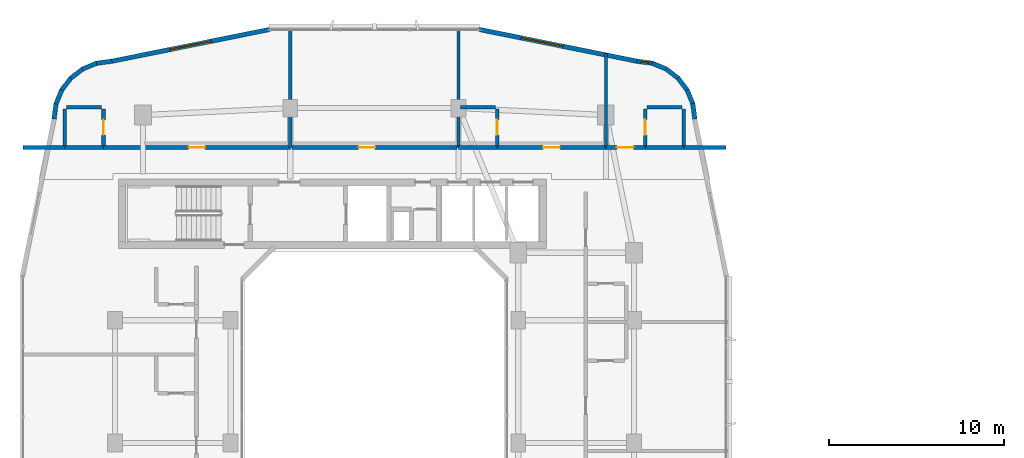
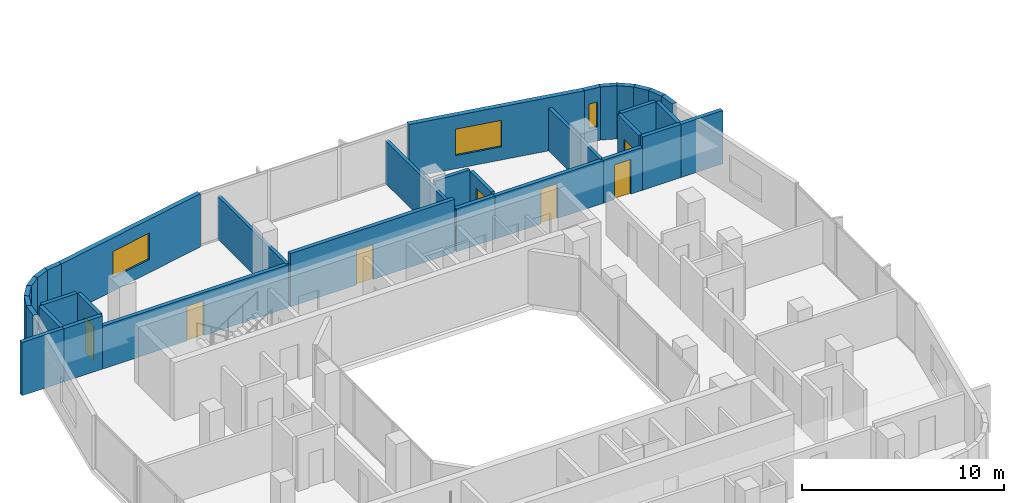
# One storey, part 16 of 26: 34 walls, 7 doors, 3 windows, 10 openings.
"""IFC4 building model written with IfcOpenShell, lengths in metres."""

from ifc_helpers import new_model, si_unit, derived_unit, direction, frame, frame_2d, origin, place, context, subcontext, project, spatial, rectangle, extrude, material, layer, layer_set, type_object, element, fill, save


model = new_model("IFC4")

# Units and contexts
model_context = context("Model", 3, precision=1e-05, world=origin(), true_north=direction((0.0, 1.0)))
body_context = subcontext(model_context, "Body", "Model", "MODEL_VIEW")
ifc_project = project(units=[si_unit("LENGTHUNIT", "METRE"), si_unit("AREAUNIT", "SQUARE_METRE"), si_unit("VOLUMEUNIT", "CUBIC_METRE"), si_unit("PLANEANGLEUNIT", "RADIAN"), si_unit("MASSUNIT", "GRAM", prefix="KILO"), derived_unit("THERMALTRANSMITTANCEUNIT", [(si_unit("POWERUNIT", "WATT"), 1), (si_unit("LENGTHUNIT", "METRE"), -2), (si_unit("THERMODYNAMICTEMPERATUREUNIT", "KELVIN"), -1)])], contexts=[model_context])

# Site, building, storey
site_placement = place(None, origin())
site = spatial("IfcSite", under=ifc_project, at=site_placement, CompositionType="ELEMENT")
building_placement = place(site_placement, origin())
building = spatial("IfcBuilding", under=site, at=building_placement, Name="Kivonza Crest Hotel", CompositionType="ELEMENT")
storey_placement = place(building_placement, frame((0.0, 0.0, 102.0)))
storey = spatial("IfcBuildingStorey", under=building, at=storey_placement, Name="L27", CompositionType="ELEMENT", Elevation=102.0)

# Walls
ifc_material_1 = material(Name="High-density acoustic masonry inter-tenancy wall", Category="masonry")
ifc_layer_1 = layer(ifc_material_1, 0.179931640625)
ifc_layer_set_1 = layer_set([ifc_layer_1], Name="High-density acoustic masonry inter-tenancy wall")
wall_type_1 = type_object("IfcWallType", Name="WL-ACOU-180", PredefinedType="SOLIDWALL", material=ifc_layer_set_1)
for number, where, z_axis, x_axis, name in (
    (1, (16.199951171875, 38.35009765625, 0.0), (0.0, 0.0, 1.0), (0.0, 1.0, 0.0), "L27 interior partition WA-L27-T1N-DIV1"),
    (2, (25.800048828125, 38.35009765625, 0.0), (0.0, 0.0, 1.0), (0.0, 1.0, 0.0), "L27 interior partition WA-L27-T1N-DIV2"),
):
    element("IfcWall", number, at=place(storey_placement, frame(where, z_axis=z_axis, x_axis=x_axis)), inside=storey, type_object=wall_type_1, Name=name, PredefinedType="SOLIDWALL", context=body_context, shape_type="SweptSolid", body=[
        extrude(rectangle(XDim=6.789794921875, YDim=0.179931640625, at=frame_2d((3.39501953125, 0.0))), origin(), (0.0, 0.0, 1.0), 2.594970703125),
    ])
wall_1_placement = place(storey_placement, frame((34.199951171875, 38.35009765625, 0.0), z_axis=(0.0, 0.0, 1.0), x_axis=(0.0, 1.0, 0.0)))
element("IfcWall", 3, at=wall_1_placement, inside=storey, type_object=wall_type_1, Name="L27 interior partition WA-L27-T1N-DIV3", PredefinedType="SOLIDWALL", context=body_context, shape_type="SweptSolid", body=[
    extrude(rectangle(XDim=5.350830078125, YDim=0.179931640625, at=frame_2d((2.67529296875, 0.0))), origin(), (0.0, 0.0, 1.0), 2.594970703125),
])
ifc_material_2 = material(Name="Autoclaved aerated concrete blockwork", Category="masonry")
ifc_layer_2 = layer(ifc_material_2, 0.219970703125)
ifc_layer_set_2 = layer_set([ifc_layer_2], Name="Autoclaved aerated concrete blockwork")
wall_type_2 = type_object("IfcWallType", Name="WL-ACOU-220", PredefinedType="SOLIDWALL", material=ifc_layer_set_2)
wall_2_placement = place(storey_placement, frame((0.9599609375, 38.35009765625, 0.0), z_axis=(0.0, 0.0, 1.0), x_axis=(1.0, 0.0, 0.0)))
element("IfcWall", 4, at=wall_2_placement, inside=storey, type_object=wall_type_2, Name="L27 interior partition WA-L27-N01-XCORR", PredefinedType="SOLIDWALL", context=body_context, shape_type="SweptSolid", body=[
    extrude(rectangle(XDim=2.39013671875, YDim=0.219970703125, at=frame_2d((1.195068359375, 0.0))), origin(), (0.0, 0.0, 1.0), 3.219970703125),
])
wall_3_placement = place(storey_placement, frame((3.35009765625, 38.35009765625, 0.0), z_axis=(0.0, 0.0, 1.0), x_axis=(1.0, 0.0, 0.0)))
element("IfcWall", 5, at=wall_3_placement, inside=storey, type_object=wall_type_2, Name="L27 interior partition WA-L27-N01-BCORR", PredefinedType="SOLIDWALL", context=body_context, shape_type="SweptSolid", body=[
    extrude(rectangle(XDim=2.199951171875, YDim=0.219970703125, at=frame_2d((1.10009765625, 0.0))), origin(), (0.0, 0.0, 1.0), 3.219970703125),
])

# Wall, opening, door
wall_4_placement = place(storey_placement, frame((5.550048828125, 38.35009765625, 0.0), z_axis=(0.0, 0.0, 1.0), x_axis=(1.0, 0.0, 0.0)))
wall_4 = element("IfcWall", 6, at=wall_4_placement, inside=storey, type_object=wall_type_2, Name="L27 interior partition WA-L27-N01-MCORR", PredefinedType="SOLIDWALL", context=body_context, shape_type="SweptSolid", body=[
    extrude(rectangle(XDim=10.64990234375, YDim=0.219970703125, at=frame_2d((5.324951171875, 0.0))), origin(), (0.0, 0.0, 1.0), 2.594970703125),
])
opening_1_placement = place(wall_4_placement, frame((4.85009765625, 0.0, 0.0)))
opening_1 = element("IfcOpeningElement", 7, at=opening_1_placement, cuts=wall_4, Name="Opening DU-60", PredefinedType="OPENING", context=body_context, shape_type="SweptSolid", body=[
    extrude(rectangle(XDim=0.949951171875, YDim=2.10009765625, at=frame_2d((0.47509765625, 1.050048828125))), frame((0.0, 0.1201171875, 0.0), z_axis=(0.0, -1.0, 0.0), x_axis=(1.0, 0.0, 0.0)), (0.0, 0.0, 1.0), 0.239990234375),
])
ifc_material_3 = material(Name="Hardwood timber oak", Category="wood")
door_type_1 = type_object("IfcDoorType", Name="DR-UNIT-950", OperationType="NOTDEFINED", PredefinedType="DOOR", material=ifc_material_3)
door_1_placement = place(opening_1_placement, origin())
door_1 = element("IfcDoor", 8, at=door_1_placement, inside=storey, type_object=door_type_1, Name="L27 N01 guest unit entrance fire door", OperationType="SINGLE_SWING_LEFT", OverallHeight=2.10009765625, OverallWidth=0.949951171875, PredefinedType="DOOR", context=body_context, shape_type="SweptSolid", body=[
    extrude(rectangle(XDim=0.949951171875, YDim=2.10009765625, at=frame_2d((0.47509765625, 1.050048828125))), frame((0.0, 0.02490234375, 0.0), z_axis=(0.0, -1.0, 0.0), x_axis=(1.0, 0.0, 0.0)), (0.0, 0.0, 1.0), 0.050048828125),
])
fill(opening_1, door_1)

wall_5_placement = place(storey_placement, frame((16.300048828125, 38.35009765625, 0.0), z_axis=(0.0, 0.0, 1.0), x_axis=(1.0, 0.0, 0.0)))
wall_5 = element("IfcWall", 9, at=wall_5_placement, inside=storey, type_object=wall_type_2, Name="L27 interior partition WA-L27-HK-MAIN-S", PredefinedType="SOLIDWALL", context=body_context, shape_type="SweptSolid", body=[
    extrude(rectangle(XDim=9.39990234375, YDim=0.219970703125, at=frame_2d((4.699951171875, 0.0))), origin(), (0.0, 0.0, 1.0), 3.219970703125),
])
opening_2_placement = place(wall_5_placement, frame((3.79296875, 0.0, 0.0)))
opening_2 = element("IfcOpeningElement", 10, at=opening_2_placement, cuts=wall_5, Name="Opening DF-60S", PredefinedType="OPENING", context=body_context, shape_type="SweptSolid", body=[
    extrude(rectangle(XDim=0.949951171875, YDim=2.10009765625, at=frame_2d((0.47509765625, 1.050048828125))), frame((0.0, 0.1201171875, 0.0), z_axis=(0.0, -1.0, 0.0), x_axis=(1.0, 0.0, 0.0)), (0.0, 0.0, 1.0), 0.239990234375),
])
door_type_2 = type_object("IfcDoorType", Name="DR-FD60-950", OperationType="NOTDEFINED", PredefinedType="DOOR", material=ifc_material_3)
door_2_placement = place(opening_2_placement, origin())
door_2 = element("IfcDoor", 11, at=door_2_placement, inside=storey, type_object=door_type_2, Name="L27 Housekeeping and Linen Room door", OperationType="SINGLE_SWING_RIGHT", OverallHeight=2.10009765625, OverallWidth=0.949951171875, PredefinedType="DOOR", context=body_context, shape_type="SweptSolid", body=[
    extrude(rectangle(XDim=0.949951171875, YDim=2.10009765625, at=frame_2d((0.47509765625, 1.050048828125))), frame((0.0, 0.02490234375, 0.0), z_axis=(0.0, -1.0, 0.0), x_axis=(1.0, 0.0, 0.0)), (0.0, 0.0, 1.0), 0.050048828125),
])
fill(opening_2, door_2)

# Wall
wall_6_placement = place(storey_placement, frame((25.800048828125, 38.35009765625, 0.0), z_axis=(0.0, 0.0, 1.0), x_axis=(1.0, 0.0, 0.0)))
element("IfcWall", 12, at=wall_6_placement, inside=storey, type_object=wall_type_2, Name="L27 interior partition WA-L27-N02-BCORR", PredefinedType="SOLIDWALL", context=body_context, shape_type="SweptSolid", body=[
    extrude(rectangle(XDim=2.199951171875, YDim=0.219970703125, at=frame_2d((1.10009765625, 0.0))), origin(), (0.0, 0.0, 1.0), 2.594970703125),
])

# Wall, opening, door
wall_7_placement = place(storey_placement, frame((28.0, 38.35009765625, 0.0), z_axis=(0.0, 0.0, 1.0), x_axis=(1.0, 0.0, 0.0)))
wall_7 = element("IfcWall", 13, at=wall_7_placement, inside=storey, type_object=wall_type_2, Name="L27 interior partition WA-L27-N02-MCORR", PredefinedType="SOLIDWALL", context=body_context, shape_type="SweptSolid", body=[
    extrude(rectangle(XDim=6.199951171875, YDim=0.219970703125, at=frame_2d((3.10009765625, 0.0))), origin(), (0.0, 0.0, 1.0), 2.594970703125),
])
opening_3_placement = place(wall_7_placement, frame((2.625, 0.0, 0.0)))
opening_3 = element("IfcOpeningElement", 14, at=opening_3_placement, cuts=wall_7, Name="Opening DU-60", PredefinedType="OPENING", context=body_context, shape_type="SweptSolid", body=[
    extrude(rectangle(XDim=0.949951171875, YDim=2.10009765625, at=frame_2d((0.47509765625, 1.050048828125))), frame((0.0, 0.1201171875, 0.0), z_axis=(0.0, -1.0, 0.0), x_axis=(1.0, 0.0, 0.0)), (0.0, 0.0, 1.0), 0.239990234375),
])
door_3_placement = place(opening_3_placement, origin())
door_3 = element("IfcDoor", 15, at=door_3_placement, inside=storey, type_object=door_type_1, Name="L27 N02 guest unit entrance fire door", OperationType="SINGLE_SWING_RIGHT", OverallHeight=2.10009765625, OverallWidth=0.949951171875, PredefinedType="DOOR", context=body_context, shape_type="SweptSolid", body=[
    extrude(rectangle(XDim=0.949951171875, YDim=2.10009765625, at=frame_2d((0.47509765625, 1.050048828125))), frame((0.0, 0.02490234375, 0.0), z_axis=(0.0, -1.0, 0.0), x_axis=(1.0, 0.0, 0.0)), (0.0, 0.0, 1.0), 0.050048828125),
])
fill(opening_3, door_3)

# Walls
wall_8_placement = place(storey_placement, frame((38.64990234375, 38.35009765625, 0.0), z_axis=(0.0, 0.0, 1.0), x_axis=(1.0, 0.0, 0.0)))
element("IfcWall", 16, at=wall_8_placement, inside=storey, type_object=wall_type_2, Name="L27 interior partition WA-L27-N03-XCORR", PredefinedType="SOLIDWALL", context=body_context, shape_type="SweptSolid", body=[
    extrude(rectangle(XDim=2.39013671875, YDim=0.219970703125, at=frame_2d((1.195068359375, 0.0))), origin(), (0.0, 0.0, 1.0), 3.219970703125),
])
wall_9_placement = place(storey_placement, frame((36.449951171875, 38.35009765625, 0.0), z_axis=(0.0, 0.0, 1.0), x_axis=(1.0, 0.0, 0.0)))
element("IfcWall", 17, at=wall_9_placement, inside=storey, type_object=wall_type_2, Name="L27 interior partition WA-L27-N03-BCORR", PredefinedType="SOLIDWALL", context=body_context, shape_type="SweptSolid", body=[
    extrude(rectangle(XDim=2.199951171875, YDim=0.219970703125, at=frame_2d((1.10009765625, 0.0))), origin(), (0.0, 0.0, 1.0), 3.219970703125),
])

# Wall, opening, door
wall_10_placement = place(storey_placement, frame((34.199951171875, 38.35009765625, 0.0), z_axis=(0.0, 0.0, 1.0), x_axis=(1.0, 0.0, 0.0)))
wall_10 = element("IfcWall", 18, at=wall_10_placement, inside=storey, type_object=wall_type_2, Name="L27 interior partition WA-L27-N03-MCORR", PredefinedType="SOLIDWALL", context=body_context, shape_type="SweptSolid", body=[
    extrude(rectangle(XDim=2.25, YDim=0.219970703125, at=frame_2d((1.125, 0.0))), origin(), (0.0, 0.0, 1.0), 2.594970703125),
])
opening_4_placement = place(wall_10_placement, frame((0.6298828125, 0.0, 0.0)))
opening_4 = element("IfcOpeningElement", 19, at=opening_4_placement, cuts=wall_10, Name="Opening DU-60", PredefinedType="OPENING", context=body_context, shape_type="SweptSolid", body=[
    extrude(rectangle(XDim=0.949951171875, YDim=2.10009765625, at=frame_2d((0.47509765625, 1.050048828125))), frame((0.0, 0.1201171875, 0.0), z_axis=(0.0, -1.0, 0.0), x_axis=(1.0, 0.0, 0.0)), (0.0, 0.0, 1.0), 0.239990234375),
])
door_4_placement = place(opening_4_placement, origin())
door_4 = element("IfcDoor", 20, at=door_4_placement, inside=storey, type_object=door_type_1, Name="L27 N03 guest unit entrance fire door", OperationType="SINGLE_SWING_LEFT", OverallHeight=2.10009765625, OverallWidth=0.949951171875, PredefinedType="DOOR", context=body_context, shape_type="SweptSolid", body=[
    extrude(rectangle(XDim=0.949951171875, YDim=2.10009765625, at=frame_2d((0.47509765625, 1.050048828125))), frame((0.0, 0.02490234375, 0.0), z_axis=(0.0, -1.0, 0.0), x_axis=(1.0, 0.0, 0.0)), (0.0, 0.0, 1.0), 0.050048828125),
])
fill(opening_4, door_4)

# Walls
ifc_material_4 = material(Name="Precast concrete C40/50", Category="concrete")
ifc_layer_3 = layer(ifc_material_4, 0.260009765625)
ifc_layer_set_3 = layer_set([ifc_layer_3], Name="Precast concrete C40/50")
wall_type_3 = type_object("IfcWallType", Name="WL-EXT-260", PredefinedType="STANDARD", material=ifc_layer_set_3)
wall_11_placement = place(storey_placement, frame((39.27197265625, 39.97509765625, 0.0), z_axis=(0.0, 0.0, 1.0), x_axis=(-0.130953706898, 0.991388484223, 0.0)))
element("IfcWall", 21, at=wall_11_placement, inside=storey, type_object=wall_type_3, Name="L27 T1 exterior insulated wall 19", PredefinedType="STANDARD", context=body_context, shape_type="SweptSolid", body=[
    extrude(rectangle(XDim=0.885498046875, YDim=0.260009765625, at=frame_2d((0.44287109375, 0.0))), origin(), (0.0, 0.0, 1.0), 3.219970703125),
])
wall_12_placement = place(storey_placement, frame((39.174072265625, 40.806884765625, 0.0), z_axis=(0.0, 0.0, 1.0), x_axis=(-0.383290660547, 0.923627776508, 0.0)))
element("IfcWall", 22, at=wall_12_placement, inside=storey, type_object=wall_type_3, Name="L27 T1 exterior insulated wall 20", PredefinedType="STANDARD", context=body_context, shape_type="SweptSolid", body=[
    extrude(rectangle(XDim=0.9033203125, YDim=0.260009765625, at=frame_2d((0.45166015625, 0.0))), origin(), (0.0, 0.0, 1.0), 3.219970703125),
])
wall_13_placement = place(storey_placement, frame((38.85595703125, 41.60107421875, 0.0), z_axis=(0.0, 0.0, 1.0), x_axis=(-0.608624690463, 0.793458244748, 0.0)))
element("IfcWall", 23, at=wall_13_placement, inside=storey, type_object=wall_type_3, Name="L27 T1 exterior insulated wall 21", PredefinedType="STANDARD", context=body_context, shape_type="SweptSolid", body=[
    extrude(rectangle(XDim=0.902099609375, YDim=0.260009765625, at=frame_2d((0.451171875, 0.0))), origin(), (0.0, 0.0, 1.0), 3.219970703125),
])
wall_14_placement = place(storey_placement, frame((38.344970703125, 42.285888671875, 0.0), z_axis=(0.0, 0.0, 1.0), x_axis=(-0.793558456666, 0.608494022858, 0.0)))
element("IfcWall", 24, at=wall_14_placement, inside=storey, type_object=wall_type_3, Name="L27 T1 exterior insulated wall 22", PredefinedType="STANDARD", context=body_context, shape_type="SweptSolid", body=[
    extrude(rectangle(XDim=0.90234375, YDim=0.260009765625, at=frame_2d((0.451171875, 0.0))), origin(), (0.0, 0.0, 1.0), 3.219970703125),
])
wall_15_placement = place(storey_placement, frame((37.673095703125, 42.81396484375, 0.0), z_axis=(0.0, 0.0, 1.0), x_axis=(-0.923683767999, 0.383155708213, 0.0)))
element("IfcWall", 25, at=wall_15_placement, inside=storey, type_object=wall_type_3, Name="L27 T1 exterior insulated wall 23", PredefinedType="STANDARD", context=body_context, shape_type="SweptSolid", body=[
    extrude(rectangle(XDim=0.90283203125, YDim=0.260009765625, at=frame_2d((0.451416015625, 0.0))), origin(), (0.0, 0.0, 1.0), 3.219970703125),
])

# Wall, opening, window
wall_16_placement = place(storey_placement, frame((36.887939453125, 43.152099609375, 0.0), z_axis=(0.0, 0.0, 1.0), x_axis=(-0.991487658083, 0.130200706103, 0.0)))
wall_16 = element("IfcWall", 26, at=wall_16_placement, inside=storey, type_object=wall_type_3, Name="L27 T1 exterior insulated wall 24", PredefinedType="STANDARD", context=body_context, shape_type="SweptSolid", body=[
    extrude(rectangle(XDim=0.920654296875, YDim=0.260009765625, at=frame_2d((0.46044921875, 0.0))), origin(), (0.0, 0.0, 1.0), 3.219970703125),
])
opening_5_placement = place(wall_16_placement, frame((0.235107421875, 0.0, 0.85009765625)))
opening_5 = element("IfcOpeningElement", 27, at=opening_5_placement, cuts=wall_16, Name="Opening WN-11", PredefinedType="OPENING", context=body_context, shape_type="SweptSolid", body=[
    extrude(rectangle(XDim=0.449951171875, YDim=1.5, at=frame_2d((0.22509765625, 0.75))), frame((0.0, 0.14013671875, 0.0), z_axis=(0.0, -1.0, 0.0), x_axis=(1.0, 0.0, 0.0)), (0.0, 0.0, 1.0), 0.280029296875),
])
ifc_material_5 = material(Name="Thermally broken bronze aluminium and low-E double glazing", Category="aluminium")
window_type_1 = type_object("IfcWindowType", Name="WN-045x150", PartitioningType="SINGLE_PANEL", PredefinedType="WINDOW", material=ifc_material_5)
window_1_placement = place(opening_5_placement, origin())
window_1 = element("IfcWindow", 28, at=window_1_placement, inside=storey, type_object=window_type_1, Name="L27 corner vision window 1", OverallHeight=1.5, OverallWidth=0.449951171875, PartitioningType="SINGLE_PANEL", PredefinedType="WINDOW", context=body_context, shape_type="SweptSolid", body=[
    extrude(rectangle(XDim=0.449951171875, YDim=1.5, at=frame_2d((0.22509765625, 0.75))), frame((0.0, 0.030029296875, 0.0), z_axis=(0.0, -1.0, 0.0), x_axis=(1.0, 0.0, 0.0)), (0.0, 0.0, 1.0), 0.06005859375),
])
fill(opening_5, window_1)

wall_17_placement = place(storey_placement, frame((35.98193359375, 43.27099609375, 0.0), z_axis=(0.0, 0.0, 1.0), x_axis=(-0.980315963543, 0.197435082048, 0.0)))
wall_17 = element("IfcWall", 29, at=wall_17_placement, inside=storey, type_object=wall_type_3, Name="L27 T1 exterior insulated wall 25", PredefinedType="STANDARD", context=body_context, shape_type="SweptSolid", body=[
    extrude(rectangle(XDim=9.1826171875, YDim=0.260009765625, at=frame_2d((4.59130859375, 0.0))), origin(), (0.0, 0.0, 1.0), 3.219970703125),
])
opening_6_placement = place(wall_17_placement, frame((4.3369140625, 0.0, 0.800048828125)))
opening_6 = element("IfcOpeningElement", 30, at=opening_6_placement, cuts=wall_17, Name="Opening WN-05", PredefinedType="OPENING", context=body_context, shape_type="SweptSolid", body=[
    extrude(rectangle(XDim=2.39990234375, YDim=1.60009765625, at=frame_2d((1.199951171875, 0.800048828125))), frame((0.0, 0.14013671875, 0.0), z_axis=(0.0, -1.0, 0.0), x_axis=(1.0, 0.0, 0.0)), (0.0, 0.0, 1.0), 0.280029296875),
])
window_type_2 = type_object("IfcWindowType", Name="WN-240x160", PartitioningType="TRIPLE_PANEL_VERTICAL", PredefinedType="WINDOW", material=ifc_material_5)
window_2_placement = place(opening_6_placement, origin())
window_2 = element("IfcWindow", 31, at=window_2_placement, inside=storey, type_object=window_type_2, Name="L27 T1 facade window 25", OverallHeight=1.60009765625, OverallWidth=2.39990234375, PartitioningType="SINGLE_PANEL", PredefinedType="WINDOW", context=body_context, shape_type="SweptSolid", body=[
    extrude(rectangle(XDim=2.39990234375, YDim=1.60009765625, at=frame_2d((1.199951171875, 0.800048828125))), frame((0.0, 0.030029296875, 0.0), z_axis=(0.0, -1.0, 0.0), x_axis=(1.0, 0.0, 0.0)), (0.0, 0.0, 1.0), 0.06005859375),
])
fill(opening_6, window_2)

wall_18_placement = place(storey_placement, frame((15.02001953125, 45.083984375, 0.0), z_axis=(0.0, 0.0, 1.0), x_axis=(-0.980315963543, -0.197435082048, 0.0)))
wall_18 = element("IfcWall", 32, at=wall_18_placement, inside=storey, type_object=wall_type_3, Name="L27 T1 exterior insulated wall 27", PredefinedType="STANDARD", context=body_context, shape_type="SweptSolid", body=[
    extrude(rectangle(XDim=9.1826171875, YDim=0.260009765625, at=frame_2d((4.59130859375, 0.0))), origin(), (0.0, 0.0, 1.0), 3.219970703125),
])
opening_7_placement = place(wall_18_placement, frame((3.39111328125, 0.0, 0.800048828125)))
opening_7 = element("IfcOpeningElement", 33, at=opening_7_placement, cuts=wall_18, Name="Opening WN-05", PredefinedType="OPENING", context=body_context, shape_type="SweptSolid", body=[
    extrude(rectangle(XDim=2.39990234375, YDim=1.60009765625, at=frame_2d((1.199951171875, 0.800048828125))), frame((0.0, 0.14013671875, 0.0), z_axis=(0.0, -1.0, 0.0), x_axis=(1.0, 0.0, 0.0)), (0.0, 0.0, 1.0), 0.280029296875),
])
window_3_placement = place(opening_7_placement, origin())
window_3 = element("IfcWindow", 34, at=window_3_placement, inside=storey, type_object=window_type_2, Name="L27 T1 facade window 27", OverallHeight=1.60009765625, OverallWidth=2.39990234375, PartitioningType="SINGLE_PANEL", PredefinedType="WINDOW", context=body_context, shape_type="SweptSolid", body=[
    extrude(rectangle(XDim=2.39990234375, YDim=1.60009765625, at=frame_2d((1.199951171875, 0.800048828125))), frame((0.0, 0.030029296875, 0.0), z_axis=(0.0, -1.0, 0.0), x_axis=(1.0, 0.0, 0.0)), (0.0, 0.0, 1.0), 0.06005859375),
])
fill(opening_7, window_3)

# Walls
wall_19_placement = place(storey_placement, frame((6.02490234375, 43.27197265625, 0.0), z_axis=(0.0, 0.0, 1.0), x_axis=(-0.991388484223, -0.130953706898, 0.0)))
element("IfcWall", 35, at=wall_19_placement, inside=storey, type_object=wall_type_3, Name="L27 T1 exterior insulated wall 28", PredefinedType="STANDARD", context=body_context, shape_type="SweptSolid", body=[
    extrude(rectangle(XDim=0.885498046875, YDim=0.260009765625, at=frame_2d((0.44287109375, 0.0))), origin(), (0.0, 0.0, 1.0), 3.219970703125),
])
wall_20_placement = place(storey_placement, frame((5.193115234375, 43.174072265625, 0.0), z_axis=(0.0, 0.0, 1.0), x_axis=(-0.923627776508, -0.383290660547, 0.0)))
element("IfcWall", 36, at=wall_20_placement, inside=storey, type_object=wall_type_3, Name="L27 T1 exterior insulated wall 29", PredefinedType="STANDARD", context=body_context, shape_type="SweptSolid", body=[
    extrude(rectangle(XDim=0.9033203125, YDim=0.260009765625, at=frame_2d((0.45166015625, 0.0))), origin(), (0.0, 0.0, 1.0), 3.219970703125),
])
wall_21_placement = place(storey_placement, frame((4.39892578125, 42.85595703125, 0.0), z_axis=(0.0, 0.0, 1.0), x_axis=(-0.793458244748, -0.608624690463, 0.0)))
element("IfcWall", 37, at=wall_21_placement, inside=storey, type_object=wall_type_3, Name="L27 T1 exterior insulated wall 30", PredefinedType="STANDARD", context=body_context, shape_type="SweptSolid", body=[
    extrude(rectangle(XDim=0.902099609375, YDim=0.260009765625, at=frame_2d((0.451171875, 0.0))), origin(), (0.0, 0.0, 1.0), 3.219970703125),
])
wall_22_placement = place(storey_placement, frame((3.714111328125, 42.344970703125, 0.0), z_axis=(0.0, 0.0, 1.0), x_axis=(-0.608494022858, -0.793558456666, 0.0)))
element("IfcWall", 38, at=wall_22_placement, inside=storey, type_object=wall_type_3, Name="L27 T1 exterior insulated wall 31", PredefinedType="STANDARD", context=body_context, shape_type="SweptSolid", body=[
    extrude(rectangle(XDim=0.90234375, YDim=0.260009765625, at=frame_2d((0.451171875, 0.0))), origin(), (0.0, 0.0, 1.0), 3.219970703125),
])
wall_23_placement = place(storey_placement, frame((3.18603515625, 41.673095703125, 0.0), z_axis=(0.0, 0.0, 1.0), x_axis=(-0.383155708213, -0.923683767999, 0.0)))
element("IfcWall", 39, at=wall_23_placement, inside=storey, type_object=wall_type_3, Name="L27 T1 exterior insulated wall 32", PredefinedType="STANDARD", context=body_context, shape_type="SweptSolid", body=[
    extrude(rectangle(XDim=0.90283203125, YDim=0.260009765625, at=frame_2d((0.451416015625, 0.0))), origin(), (0.0, 0.0, 1.0), 3.219970703125),
])
wall_24_placement = place(storey_placement, frame((2.847900390625, 40.887939453125, 0.0), z_axis=(0.0, 0.0, 1.0), x_axis=(-0.130200706103, -0.991487658083, 0.0)))
element("IfcWall", 40, at=wall_24_placement, inside=storey, type_object=wall_type_3, Name="L27 T1 exterior insulated wall 33", PredefinedType="STANDARD", context=body_context, shape_type="SweptSolid", body=[
    extrude(rectangle(XDim=0.920654296875, YDim=0.260009765625, at=frame_2d((0.46044921875, 0.0))), origin(), (0.0, 0.0, 1.0), 3.219970703125),
])

# Wall, opening, door
ifc_material_6 = material(Name="Moisture-resistant plumbing chase partition wall", Category="gypsum")
ifc_layer_4 = layer(ifc_material_6, 0.199951171875)
ifc_layer_set_4 = layer_set([ifc_layer_4], Name="Moisture-resistant plumbing chase partition wall")
wall_type_4 = type_object("IfcWallType", Name="WL-PLUMB-200", PredefinedType="PLUMBINGWALL", material=ifc_layer_set_4)
wall_25_placement = place(storey_placement, frame((5.550048828125, 38.449951171875, 0.0), z_axis=(0.0, 0.0, 1.0), x_axis=(0.0, 1.0, 0.0)))
wall_25 = element("IfcWall", 41, at=wall_25_placement, inside=storey, type_object=wall_type_4, Name="L27 interior partition WW-L27-N01-BV", PredefinedType="PLUMBINGWALL", context=body_context, shape_type="SweptSolid", body=[
    extrude(rectangle(XDim=2.10009765625, YDim=0.199951171875, at=frame_2d((1.050048828125, 0.0))), origin(), (0.0, 0.0, 1.0), 3.219970703125),
])
opening_8_placement = place(wall_25_placement, frame((0.625, 0.0, 0.0)))
opening_8 = element("IfcOpeningElement", 42, at=opening_8_placement, cuts=wall_25, Name="Opening DI-85", PredefinedType="OPENING", context=body_context, shape_type="SweptSolid", body=[
    extrude(rectangle(XDim=0.85009765625, YDim=2.10009765625, at=frame_2d((0.425048828125, 1.050048828125))), frame((0.0, 0.10986328125, 0.0), z_axis=(0.0, -1.0, 0.0), x_axis=(1.0, 0.0, 0.0)), (0.0, 0.0, 1.0), 0.219970703125),
])
door_type_3 = type_object("IfcDoorType", Name="DR-INT-850", OperationType="NOTDEFINED", PredefinedType="DOOR", material=ifc_material_3)
door_5_placement = place(opening_8_placement, frame((0.85009765625, 0.0, 0.0), z_axis=(0.0, 0.0, 1.0), x_axis=(-1.0, 0.0, 0.0)))
door_5 = element("IfcDoor", 43, at=door_5_placement, inside=storey, type_object=door_type_3, Name="L27 N01 en-suite bathroom door", OperationType="SINGLE_SWING_RIGHT", OverallHeight=2.10009765625, OverallWidth=0.85009765625, PredefinedType="DOOR", context=body_context, shape_type="SweptSolid", body=[
    extrude(rectangle(XDim=0.85009765625, YDim=2.10009765625, at=frame_2d((0.425048828125, 1.050048828125))), frame((0.0, 0.02490234375, 0.0), z_axis=(0.0, -1.0, 0.0), x_axis=(1.0, 0.0, 0.0)), (0.0, 0.0, 1.0), 0.050048828125),
])
fill(opening_8, door_5)

# Walls
wall_26_placement = place(storey_placement, frame((3.449951171875, 40.64990234375, 0.0), z_axis=(0.0, 0.0, 1.0), x_axis=(1.0, 0.0, 0.0)))
element("IfcWall", 44, at=wall_26_placement, inside=storey, type_object=wall_type_4, Name="L27 interior partition WW-L27-N01-BH", PredefinedType="PLUMBINGWALL", context=body_context, shape_type="SweptSolid", body=[
    extrude(rectangle(XDim=2.0, YDim=0.199951171875, at=frame_2d((1.0, 0.0))), origin(), (0.0, 0.0, 1.0), 3.219970703125),
])
wall_27_placement = place(storey_placement, frame((3.35009765625, 38.449951171875, 0.0), z_axis=(0.0, 0.0, 1.0), x_axis=(0.0, 1.0, 0.0)))
element("IfcWall", 45, at=wall_27_placement, inside=storey, type_object=wall_type_4, Name="L27 interior partition WW-L27-N01-BVW", PredefinedType="PLUMBINGWALL", context=body_context, shape_type="SweptSolid", body=[
    extrude(rectangle(XDim=2.10009765625, YDim=0.199951171875, at=frame_2d((1.050048828125, 0.0))), origin(), (0.0, 0.0, 1.0), 3.219970703125),
])

# Wall, opening, door
wall_28_placement = place(storey_placement, frame((28.0, 38.449951171875, 0.0), z_axis=(0.0, 0.0, 1.0), x_axis=(0.0, 1.0, 0.0)))
wall_28 = element("IfcWall", 46, at=wall_28_placement, inside=storey, type_object=wall_type_4, Name="L27 interior partition WW-L27-N02-BV", PredefinedType="PLUMBINGWALL", context=body_context, shape_type="SweptSolid", body=[
    extrude(rectangle(XDim=2.10009765625, YDim=0.199951171875, at=frame_2d((1.050048828125, 0.0))), origin(), (0.0, 0.0, 1.0), 2.7451171875),
])
opening_9_placement = place(wall_28_placement, frame((0.625, 0.0, 0.0)))
opening_9 = element("IfcOpeningElement", 47, at=opening_9_placement, cuts=wall_28, Name="Opening DI-85", PredefinedType="OPENING", context=body_context, shape_type="SweptSolid", body=[
    extrude(rectangle(XDim=0.85009765625, YDim=2.10009765625, at=frame_2d((0.425048828125, 1.050048828125))), frame((0.0, 0.10986328125, 0.0), z_axis=(0.0, -1.0, 0.0), x_axis=(1.0, 0.0, 0.0)), (0.0, 0.0, 1.0), 0.219970703125),
])
door_6_placement = place(opening_9_placement, frame((0.85009765625, 0.0, 0.0), z_axis=(0.0, 0.0, 1.0), x_axis=(-1.0, 0.0, 0.0)))
door_6 = element("IfcDoor", 48, at=door_6_placement, inside=storey, type_object=door_type_3, Name="L27 N02 en-suite bathroom door", OperationType="SINGLE_SWING_LEFT", OverallHeight=2.10009765625, OverallWidth=0.85009765625, PredefinedType="DOOR", context=body_context, shape_type="SweptSolid", body=[
    extrude(rectangle(XDim=0.85009765625, YDim=2.10009765625, at=frame_2d((0.425048828125, 1.050048828125))), frame((0.0, 0.02490234375, 0.0), z_axis=(0.0, -1.0, 0.0), x_axis=(1.0, 0.0, 0.0)), (0.0, 0.0, 1.0), 0.050048828125),
])
fill(opening_9, door_6)

# Wall
wall_29_placement = place(storey_placement, frame((25.89990234375, 40.64990234375, 0.0), z_axis=(0.0, 0.0, 1.0), x_axis=(1.0, 0.0, 0.0)))
element("IfcWall", 49, at=wall_29_placement, inside=storey, type_object=wall_type_4, Name="L27 interior partition WW-L27-N02-BH", PredefinedType="PLUMBINGWALL", context=body_context, shape_type="SweptSolid", body=[
    extrude(rectangle(XDim=2.0, YDim=0.199951171875, at=frame_2d((1.0, 0.0))), origin(), (0.0, 0.0, 1.0), 2.8349609375),
])

# Wall, opening, door
wall_30_placement = place(storey_placement, frame((36.449951171875, 38.449951171875, 0.0), z_axis=(0.0, 0.0, 1.0), x_axis=(0.0, 1.0, 0.0)))
wall_30 = element("IfcWall", 50, at=wall_30_placement, inside=storey, type_object=wall_type_4, Name="L27 interior partition WW-L27-N03-BV", PredefinedType="PLUMBINGWALL", context=body_context, shape_type="SweptSolid", body=[
    extrude(rectangle(XDim=2.10009765625, YDim=0.199951171875, at=frame_2d((1.050048828125, 0.0))), origin(), (0.0, 0.0, 1.0), 3.219970703125),
])
opening_10_placement = place(wall_30_placement, frame((0.625, 0.0, 0.0)))
opening_10 = element("IfcOpeningElement", 51, at=opening_10_placement, cuts=wall_30, Name="Opening DI-85", PredefinedType="OPENING", context=body_context, shape_type="SweptSolid", body=[
    extrude(rectangle(XDim=0.85009765625, YDim=2.10009765625, at=frame_2d((0.425048828125, 1.050048828125))), frame((0.0, 0.10986328125, 0.0), z_axis=(0.0, -1.0, 0.0), x_axis=(1.0, 0.0, 0.0)), (0.0, 0.0, 1.0), 0.219970703125),
])
door_7_placement = place(opening_10_placement, origin())
door_7 = element("IfcDoor", 52, at=door_7_placement, inside=storey, type_object=door_type_3, Name="L27 N03 en-suite bathroom door", OperationType="SINGLE_SWING_RIGHT", OverallHeight=2.10009765625, OverallWidth=0.85009765625, PredefinedType="DOOR", context=body_context, shape_type="SweptSolid", body=[
    extrude(rectangle(XDim=0.85009765625, YDim=2.10009765625, at=frame_2d((0.425048828125, 1.050048828125))), frame((0.0, 0.02490234375, 0.0), z_axis=(0.0, -1.0, 0.0), x_axis=(1.0, 0.0, 0.0)), (0.0, 0.0, 1.0), 0.050048828125),
])
fill(opening_10, door_7)

# Walls
wall_31_placement = place(storey_placement, frame((36.550048828125, 40.64990234375, 0.0), z_axis=(0.0, 0.0, 1.0), x_axis=(1.0, 0.0, 0.0)))
element("IfcWall", 53, at=wall_31_placement, inside=storey, type_object=wall_type_4, Name="L27 interior partition WW-L27-N03-BH", PredefinedType="PLUMBINGWALL", context=body_context, shape_type="SweptSolid", body=[
    extrude(rectangle(XDim=2.0, YDim=0.199951171875, at=frame_2d((1.0, 0.0))), origin(), (0.0, 0.0, 1.0), 3.219970703125),
])
wall_32_placement = place(storey_placement, frame((38.64990234375, 38.449951171875, 0.0), z_axis=(0.0, 0.0, 1.0), x_axis=(0.0, 1.0, 0.0)))
element("IfcWall", 54, at=wall_32_placement, inside=storey, type_object=wall_type_4, Name="L27 interior partition WW-L27-N03-BVE", PredefinedType="PLUMBINGWALL", context=body_context, shape_type="SweptSolid", body=[
    extrude(rectangle(XDim=2.10009765625, YDim=0.199951171875, at=frame_2d((1.050048828125, 0.0))), origin(), (0.0, 0.0, 1.0), 3.219970703125),
])

save(model, "model.ifc")
